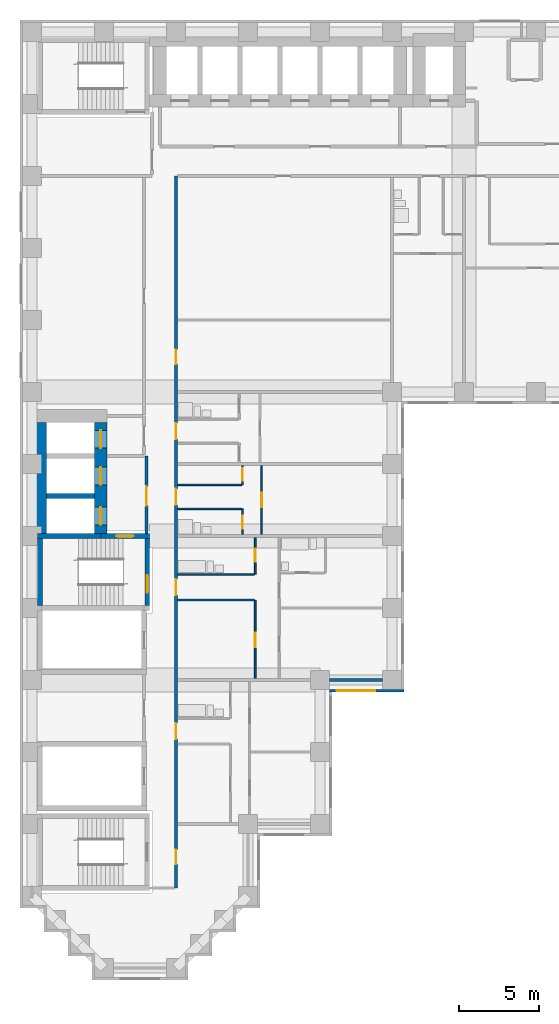
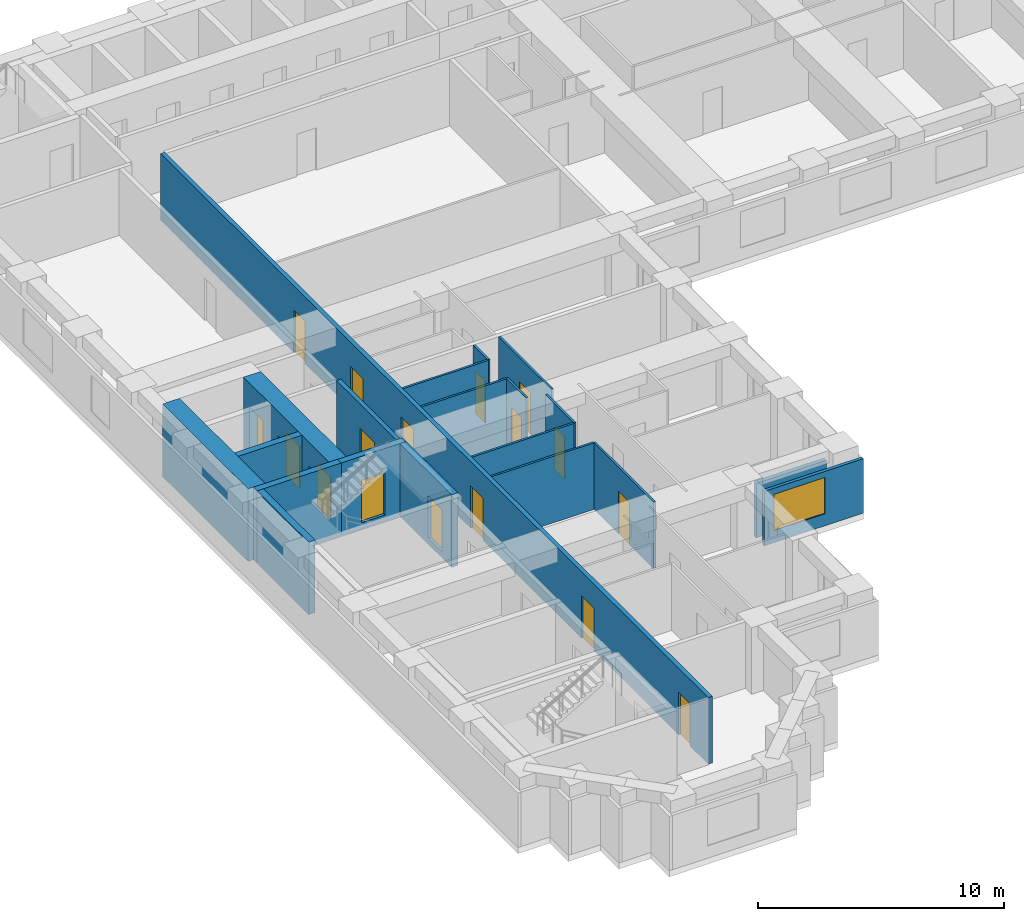
# One storey, part 3 of 11: 20 walls, 17 doors, 1 window, 18 openings.
"""IFC4 building model written with IfcOpenShell, lengths in metres."""

from ifc_helpers import new_model, si_unit, direction, frame, frame_2d, origin, place, context, subcontext, project, spatial, rectangle, extrude, material, layer, layer_set, type_object, element, fill, save


model = new_model("IFC4")

# Units and contexts
model_context = context("Model", 3, precision=1e-05, world=origin(), true_north=direction((0.0, 1.0)))
body_context = subcontext(model_context, "Body", "Model", "MODEL_VIEW")
ifc_project = project(units=[si_unit("LENGTHUNIT", "METRE"), si_unit("AREAUNIT", "SQUARE_METRE"), si_unit("VOLUMEUNIT", "CUBIC_METRE"), si_unit("PLANEANGLEUNIT", "RADIAN"), si_unit("MASSUNIT", "GRAM", prefix="KILO")], contexts=[model_context])

# Site, building, storey
site_placement = place(None, origin())
site = spatial("IfcSite", under=ifc_project, at=site_placement, CompositionType="ELEMENT")
building_placement = place(site_placement, origin())
building = spatial("IfcBuilding", under=site, at=building_placement, Name="Firuza Court", CompositionType="ELEMENT")
storey_placement = place(building_placement, frame((0.0, 0.0, 61.39990234375)))
storey = spatial("IfcBuildingStorey", under=building, at=storey_placement, Name="L14", CompositionType="ELEMENT", Elevation=61.39990234375)

# Walls
ifc_material_1 = material(Name="Moisture-resistant gypsum board partition")
ifc_layer_1 = layer(ifc_material_1, 0.10009765625)
ifc_layer_set_1 = layer_set([ifc_layer_1], Name="Moisture-resistant gypsum board partition")
wall_type_1 = type_object("IfcWallType", Name="Bathroom partition 100", PredefinedType="PLUMBINGWALL", material=ifc_layer_set_1)
wall_1_placement = place(storey_placement, frame((9.10009765625, 24.60009765625, 0.0), z_axis=(0.0, 0.0, 1.0), x_axis=(1.0, 0.0, 0.0)))
element("IfcWall", 1, at=wall_1_placement, inside=storey, type_object=wall_type_1, Name="Bathroom partition 100 L14", PredefinedType="PLUMBINGWALL", context=body_context, shape_type="SweptSolid", body=[
    extrude(rectangle(XDim=4.7998046875, YDim=0.10009765625, at=frame_2d((2.39990234375, 0.0))), origin(), (0.0, 0.0, 1.0), 3.300048828125),
])
wall_2_placement = place(storey_placement, frame((9.10009765625, 28.699951171875, 0.0), z_axis=(0.0, 0.0, 1.0), x_axis=(1.0, 0.0, 0.0)))
element("IfcWall", 2, at=wall_2_placement, inside=storey, type_object=wall_type_1, Name="Bathroom partition 100 L14", PredefinedType="PLUMBINGWALL", context=body_context, shape_type="SweptSolid", body=[
    extrude(rectangle(XDim=4.0, YDim=0.10009765625, at=frame_2d((2.0, 0.0))), origin(), (0.0, 0.0, 1.0), 3.300048828125),
])
ifc_material_2 = material(Name="Concrete C60/75", Category="concrete")
ifc_layer_2 = layer(ifc_material_2, 0.300048828125)
ifc_layer_set_2 = layer_set([ifc_layer_2], Name="Concrete C60/75")
wall_type_2 = type_object("IfcWallType", Name="Core wall 300 C60/75", PredefinedType="SHEAR", material=ifc_layer_set_2)
wall_3_placement = place(storey_placement, frame((0.35009765625, 27.0, -0.2998046875), z_axis=(0.0, 0.0, 1.0), x_axis=(1.0, 0.0, 0.0)))
element("IfcWall", 3, at=wall_3_placement, inside=storey, type_object=wall_type_2, Name="Core wall lift shaft L14", PredefinedType="SHEAR", context=body_context, shape_type="SweptSolid", body=[
    extrude(rectangle(XDim=3.949951171875, YDim=0.300048828125, at=frame_2d((1.97509765625, 0.0))), origin(), (0.0, 0.0, 1.0), 3.599853515625),
])
wall_4_placement = place(storey_placement, frame((0.5, 22.64990234375, -0.2998046875), z_axis=(0.0, 0.0, 1.0), x_axis=(0.0, 1.0, 0.0)))
element("IfcWall", 4, at=wall_4_placement, inside=storey, type_object=wall_type_2, Name="Core wall stair L14", PredefinedType="SHEAR", context=body_context, shape_type="SweptSolid", body=[
    extrude(rectangle(XDim=4.2001953125, YDim=0.300048828125, at=frame_2d((2.10009765625, 0.0))), origin(), (0.0, 0.0, 1.0), 3.599853515625),
])
wall_5_placement = place(storey_placement, frame((0.89990234375, 29.5, -0.2998046875), z_axis=(0.0, 0.0, 1.0), x_axis=(1.0, 0.0, 0.0)))
element("IfcWall", 5, at=wall_5_placement, inside=storey, type_object=wall_type_2, Name="Core wall lift shaft L14", PredefinedType="SHEAR", context=body_context, shape_type="SweptSolid", body=[
    extrude(rectangle(XDim=3.0, YDim=0.300048828125, at=frame_2d((1.5, 0.0))), origin(), (0.0, 0.0, 1.0), 3.599853515625),
])

# Wall, opening, door
wall_6_placement = place(storey_placement, frame((4.300048828125, 27.0, -0.2998046875), z_axis=(0.0, 0.0, 1.0), x_axis=(1.0, 0.0, 0.0)))
wall_6 = element("IfcWall", 6, at=wall_6_placement, inside=storey, type_object=wall_type_2, Name="Core wall stair L14", PredefinedType="SHEAR", context=body_context, shape_type="SweptSolid", body=[
    extrude(rectangle(XDim=3.050048828125, YDim=0.300048828125, at=frame_2d((1.52490234375, 0.0))), origin(), (0.0, 0.0, 1.0), 3.599853515625),
])
opening_1_placement = place(wall_6_placement, frame((0.949951171875, 0.0, 0.300048828125)))
opening_1 = element("IfcOpeningElement", 7, at=opening_1_placement, cuts=wall_6, Name="Opening D14014", PredefinedType="OPENING", context=body_context, shape_type="SweptSolid", body=[
    extrude(rectangle(XDim=1.10009765625, YDim=2.10009765625, at=frame_2d((0.550048828125, 1.050048828125))), frame((0.0, 0.162109375, 0.0), z_axis=(0.0, -1.0, 0.0), x_axis=(1.0, 0.0, 0.0)), (0.0, 0.0, 1.0), 0.323974609375),
])
ifc_material_3 = material(Name="Timber door leaf in hardwood frame", Category="wood")
door_type_1 = type_object("IfcDoorType", Name="Stair door 1100", OperationType="SINGLE_SWING_LEFT", PredefinedType="DOOR", material=ifc_material_3)
door_1_placement = place(opening_1_placement, frame((1.10009765625, 0.0, 0.0), z_axis=(0.0, 0.0, 1.0), x_axis=(-1.0, 0.0, 0.0)))
door_1 = element("IfcDoor", 8, at=door_1_placement, inside=storey, type_object=door_type_1, Name="Fire-fighting lobby door", OperationType="SINGLE_SWING_LEFT", OverallHeight=2.10009765625, OverallWidth=1.10009765625, PredefinedType="DOOR", context=body_context, shape_type="SweptSolid", body=[
    extrude(rectangle(XDim=1.10009765625, YDim=2.10009765625, at=frame_2d((0.550048828125, 1.050048828125))), frame((0.0, 0.02490234375, 0.0), z_axis=(0.0, -1.0, 0.0), x_axis=(1.0, 0.0, 0.0)), (0.0, 0.0, 1.0), 0.050048828125),
])
fill(opening_1, door_1)

wall_7_placement = place(storey_placement, frame((7.199951171875, 22.64990234375, -0.2998046875), z_axis=(0.0, 0.0, 1.0), x_axis=(0.0, 1.0, 0.0)))
wall_7 = element("IfcWall", 9, at=wall_7_placement, inside=storey, type_object=wall_type_2, Name="Core wall stair L14", PredefinedType="SHEAR", context=body_context, shape_type="SweptSolid", body=[
    extrude(rectangle(XDim=4.2001953125, YDim=0.300048828125, at=frame_2d((2.10009765625, 0.0))), origin(), (0.0, 0.0, 1.0), 3.599853515625),
])
opening_2_placement = place(wall_7_placement, frame((0.800048828125, 0.0, 0.300048828125)))
opening_2 = element("IfcOpeningElement", 10, at=opening_2_placement, cuts=wall_7, Name="Opening D14015", PredefinedType="OPENING", context=body_context, shape_type="SweptSolid", body=[
    extrude(rectangle(XDim=1.10009765625, YDim=2.10009765625, at=frame_2d((0.550048828125, 1.050048828125))), frame((0.0, 0.162109375, 0.0), z_axis=(0.0, -1.0, 0.0), x_axis=(1.0, 0.0, 0.0)), (0.0, 0.0, 1.0), 0.323974609375),
])
door_2_placement = place(opening_2_placement, origin())
door_2 = element("IfcDoor", 11, at=door_2_placement, inside=storey, type_object=door_type_1, Name="Stair door S2", OperationType="SINGLE_SWING_LEFT", OverallHeight=2.10009765625, OverallWidth=1.10009765625, PredefinedType="DOOR", context=body_context, shape_type="SweptSolid", body=[
    extrude(rectangle(XDim=1.10009765625, YDim=2.10009765625, at=frame_2d((0.550048828125, 1.050048828125))), frame((0.0, 0.02490234375, 0.0), z_axis=(0.0, -1.0, 0.0), x_axis=(1.0, 0.0, 0.0)), (0.0, 0.0, 1.0), 0.050048828125),
])
fill(opening_2, door_2)

# Wall
ifc_layer_3 = layer(ifc_material_2, 0.800048828125)
ifc_layer_set_3 = layer_set([ifc_layer_3], Name="Concrete C60/75")
wall_type_3 = type_object("IfcWallType", Name="Core wall 800 C60/75", PredefinedType="SHEAR", material=ifc_layer_set_3)
wall_8_placement = place(storey_placement, frame((0.5, 27.14990234375, -0.2998046875), z_axis=(0.0, 0.0, 1.0), x_axis=(0.0, 1.0, 0.0)))
element("IfcWall", 12, at=wall_8_placement, inside=storey, type_object=wall_type_3, Name="Core wall lift shaft L14", PredefinedType="SHEAR", context=body_context, shape_type="SweptSolid", body=[
    extrude(rectangle(XDim=6.9501953125, YDim=0.800048828125, at=frame_2d((3.47509765625, 0.0))), origin(), (0.0, 0.0, 1.0), 3.599853515625),
])

# Wall, openings, doors
wall_9_placement = place(storey_placement, frame((4.300048828125, 27.14990234375, -0.2998046875), z_axis=(0.0, 0.0, 1.0), x_axis=(0.0, 1.0, 0.0)))
wall_9 = element("IfcWall", 13, at=wall_9_placement, inside=storey, type_object=wall_type_3, Name="Core wall lift shaft L14", PredefinedType="SHEAR", context=body_context, shape_type="SweptSolid", body=[
    extrude(rectangle(XDim=6.9501953125, YDim=0.800048828125, at=frame_2d((3.47509765625, 0.0))), origin(), (0.0, 0.0, 1.0), 3.599853515625),
])
opening_3_placement = place(wall_9_placement, frame((3.050048828125, 0.0, 0.300048828125)))
opening_3 = element("IfcOpeningElement", 14, at=opening_3_placement, cuts=wall_9, Name="Opening LD-FL1-14", PredefinedType="OPENING", context=body_context, shape_type="SweptSolid", body=[
    extrude(rectangle(XDim=1.10009765625, YDim=2.10009765625, at=frame_2d((0.550048828125, 1.050048828125))), frame((0.0, 0.412109375, 0.0), z_axis=(0.0, -1.0, 0.0), x_axis=(1.0, 0.0, 0.0)), (0.0, 0.0, 1.0), 0.823974609375),
])
opening_4_placement = place(wall_9_placement, frame((0.550048828125, 0.0, 0.300048828125)))
opening_4 = element("IfcOpeningElement", 15, at=opening_4_placement, cuts=wall_9, Name="Opening LD-FL2-14", PredefinedType="OPENING", context=body_context, shape_type="SweptSolid", body=[
    extrude(rectangle(XDim=1.10009765625, YDim=2.10009765625, at=frame_2d((0.550048828125, 1.050048828125))), frame((0.0, 0.412109375, 0.0), z_axis=(0.0, -1.0, 0.0), x_axis=(1.0, 0.0, 0.0)), (0.0, 0.0, 1.0), 0.823974609375),
])
opening_5_placement = place(wall_9_placement, frame((5.35009765625, 0.0, 0.300048828125)))
opening_5 = element("IfcOpeningElement", 16, at=opening_5_placement, cuts=wall_9, Name="Opening LD-SL1-14", PredefinedType="OPENING", context=body_context, shape_type="SweptSolid", body=[
    extrude(rectangle(XDim=1.10009765625, YDim=2.10009765625, at=frame_2d((0.550048828125, 1.050048828125))), frame((0.0, 0.412109375, 0.0), z_axis=(0.0, -1.0, 0.0), x_axis=(1.0, 0.0, 0.0)), (0.0, 0.0, 1.0), 0.823974609375),
])
ifc_material_4 = material(Name="Stainless steel 1.4301 door leaf", Category="steel")
door_type_2 = type_object("IfcDoorType", Name="Lift landing door 1100", OperationType="SLIDING_TO_LEFT", PredefinedType="DOOR", material=ifc_material_4)
door_3_placement = place(opening_3_placement, origin())
door_3 = element("IfcDoor", 17, at=door_3_placement, inside=storey, type_object=door_type_2, Name="Landing door FL1", OperationType="SLIDING_TO_LEFT", OverallHeight=2.10009765625, OverallWidth=1.10009765625, PredefinedType="DOOR", context=body_context, shape_type="SweptSolid", body=[
    extrude(rectangle(XDim=1.10009765625, YDim=2.10009765625, at=frame_2d((0.550048828125, 1.050048828125))), frame((0.0, 0.02490234375, 0.0), z_axis=(0.0, -1.0, 0.0), x_axis=(1.0, 0.0, 0.0)), (0.0, 0.0, 1.0), 0.050048828125),
])
fill(opening_3, door_3)
door_4_placement = place(opening_4_placement, origin())
door_4 = element("IfcDoor", 18, at=door_4_placement, inside=storey, type_object=door_type_2, Name="Landing door FL2", OperationType="SLIDING_TO_LEFT", OverallHeight=2.10009765625, OverallWidth=1.10009765625, PredefinedType="DOOR", context=body_context, shape_type="SweptSolid", body=[
    extrude(rectangle(XDim=1.10009765625, YDim=2.10009765625, at=frame_2d((0.550048828125, 1.050048828125))), frame((0.0, 0.02490234375, 0.0), z_axis=(0.0, -1.0, 0.0), x_axis=(1.0, 0.0, 0.0)), (0.0, 0.0, 1.0), 0.050048828125),
])
fill(opening_4, door_4)
door_5_placement = place(opening_5_placement, origin())
door_5 = element("IfcDoor", 19, at=door_5_placement, inside=storey, type_object=door_type_2, Name="Landing door SL1", OperationType="SLIDING_TO_LEFT", OverallHeight=2.10009765625, OverallWidth=1.10009765625, PredefinedType="DOOR", context=body_context, shape_type="SweptSolid", body=[
    extrude(rectangle(XDim=1.10009765625, YDim=2.10009765625, at=frame_2d((0.550048828125, 1.050048828125))), frame((0.0, 0.02490234375, 0.0), z_axis=(0.0, -1.0, 0.0), x_axis=(1.0, 0.0, 0.0)), (0.0, 0.0, 1.0), 0.050048828125),
])
fill(opening_5, door_5)

ifc_material_5 = material(Name="Blockwork, plastered both sides", Category="masonry")
ifc_layer_4 = layer(ifc_material_5, 0.199951171875)
ifc_layer_set_4 = layer_set([ifc_layer_4], Name="Blockwork, plastered both sides")
wall_type_4 = type_object("IfcWallType", Name="Corridor wall 200", PredefinedType="PARTITIONING", material=ifc_layer_set_4)
wall_10_placement = place(storey_placement, frame((9.0, 5.0, 0.0), z_axis=(0.0, 0.0, 1.0), x_axis=(0.0, 1.0, 0.0)))
wall_10 = element("IfcWall", 20, at=wall_10_placement, inside=storey, type_object=wall_type_4, Name="Corridor wall 200 L14", PredefinedType="PARTITIONING", context=body_context, shape_type="SweptSolid", body=[
    extrude(rectangle(XDim=44.5, YDim=0.199951171875, at=frame_2d((22.25, 0.0))), origin(), (0.0, 0.0, 1.0), 3.300048828125),
])
opening_6_placement = place(wall_10_placement, frame((28.050048828125, 0.0, 0.0)))
opening_6 = element("IfcOpeningElement", 21, at=opening_6_placement, cuts=wall_10, Name="Opening D14019", PredefinedType="OPENING", context=body_context, shape_type="SweptSolid", body=[
    extrude(rectangle(XDim=1.0, YDim=2.10009765625, at=frame_2d((0.5, 1.050048828125))), frame((0.0, 0.11181640625, 0.0), z_axis=(0.0, -1.0, 0.0), x_axis=(1.0, 0.0, 0.0)), (0.0, 0.0, 1.0), 0.223876953125),
])
opening_7_placement = place(wall_10_placement, frame((23.949951171875, 0.0, 0.0)))
opening_7 = element("IfcOpeningElement", 22, at=opening_7_placement, cuts=wall_10, Name="Opening D14020", PredefinedType="OPENING", context=body_context, shape_type="SweptSolid", body=[
    extrude(rectangle(XDim=1.0, YDim=2.10009765625, at=frame_2d((0.5, 1.050048828125))), frame((0.0, 0.11181640625, 0.0), z_axis=(0.0, -1.0, 0.0), x_axis=(1.0, 0.0, 0.0)), (0.0, 0.0, 1.0), 0.223876953125),
])
opening_8_placement = place(wall_10_placement, frame((18.300048828125, 0.0, 0.0)))
opening_8 = element("IfcOpeningElement", 23, at=opening_8_placement, cuts=wall_10, Name="Opening D14021", PredefinedType="OPENING", context=body_context, shape_type="SweptSolid", body=[
    extrude(rectangle(XDim=1.0, YDim=2.10009765625, at=frame_2d((0.5, 1.050048828125))), frame((0.0, 0.11181640625, 0.0), z_axis=(0.0, -1.0, 0.0), x_axis=(1.0, 0.0, 0.0)), (0.0, 0.0, 1.0), 0.223876953125),
])
opening_9_placement = place(wall_10_placement, frame((9.300048828125, 0.0, 0.0)))
opening_9 = element("IfcOpeningElement", 24, at=opening_9_placement, cuts=wall_10, Name="Opening D14022", PredefinedType="OPENING", context=body_context, shape_type="SweptSolid", body=[
    extrude(rectangle(XDim=1.0, YDim=2.10009765625, at=frame_2d((0.5, 1.050048828125))), frame((0.0, 0.11181640625, 0.0), z_axis=(0.0, -1.0, 0.0), x_axis=(1.0, 0.0, 0.0)), (0.0, 0.0, 1.0), 0.223876953125),
])
opening_10_placement = place(wall_10_placement, frame((32.75, 0.0, 0.0)))
opening_10 = element("IfcOpeningElement", 25, at=opening_10_placement, cuts=wall_10, Name="Opening D14023", PredefinedType="OPENING", context=body_context, shape_type="SweptSolid", body=[
    extrude(rectangle(XDim=0.89990234375, YDim=2.10009765625, at=frame_2d((0.449951171875, 1.050048828125))), frame((0.0, 0.11181640625, 0.0), z_axis=(0.0, -1.0, 0.0), x_axis=(1.0, 0.0, 0.0)), (0.0, 0.0, 1.0), 0.223876953125),
])
opening_11_placement = place(wall_10_placement, frame((1.5, 0.0, 0.0)))
opening_11 = element("IfcOpeningElement", 26, at=opening_11_placement, cuts=wall_10, Name="Opening D14024", PredefinedType="OPENING", context=body_context, shape_type="SweptSolid", body=[
    extrude(rectangle(XDim=0.89990234375, YDim=2.10009765625, at=frame_2d((0.449951171875, 1.050048828125))), frame((0.0, 0.11181640625, 0.0), z_axis=(0.0, -1.0, 0.0), x_axis=(1.0, 0.0, 0.0)), (0.0, 0.0, 1.0), 0.223876953125),
])
ifc_material_6 = material(Name="Timber door leaf in hardwood frame", Category="wood")
door_type_3 = type_object("IfcDoorType", Name="Flat entrance door 1000", OperationType="SINGLE_SWING_LEFT", PredefinedType="DOOR", material=ifc_material_6)
door_6_placement = place(opening_6_placement, origin())
door_6 = element("IfcDoor", 27, at=door_6_placement, inside=storey, type_object=door_type_3, Name="Flat entrance door", OperationType="SINGLE_SWING_LEFT", OverallHeight=2.10009765625, OverallWidth=1.0, PredefinedType="DOOR", context=body_context, shape_type="SweptSolid", body=[
    extrude(rectangle(XDim=1.0, YDim=2.10009765625, at=frame_2d((0.5, 1.050048828125))), frame((0.0, 0.02490234375, 0.0), z_axis=(0.0, -1.0, 0.0), x_axis=(1.0, 0.0, 0.0)), (0.0, 0.0, 1.0), 0.050048828125),
])
fill(opening_6, door_6)
door_7_placement = place(opening_7_placement, origin())
door_7 = element("IfcDoor", 28, at=door_7_placement, inside=storey, type_object=door_type_3, Name="Flat entrance door", OperationType="SINGLE_SWING_LEFT", OverallHeight=2.10009765625, OverallWidth=1.0, PredefinedType="DOOR", context=body_context, shape_type="SweptSolid", body=[
    extrude(rectangle(XDim=1.0, YDim=2.10009765625, at=frame_2d((0.5, 1.050048828125))), frame((0.0, 0.02490234375, 0.0), z_axis=(0.0, -1.0, 0.0), x_axis=(1.0, 0.0, 0.0)), (0.0, 0.0, 1.0), 0.050048828125),
])
fill(opening_7, door_7)
door_8_placement = place(opening_8_placement, origin())
door_8 = element("IfcDoor", 29, at=door_8_placement, inside=storey, type_object=door_type_3, Name="Flat entrance door", OperationType="SINGLE_SWING_LEFT", OverallHeight=2.10009765625, OverallWidth=1.0, PredefinedType="DOOR", context=body_context, shape_type="SweptSolid", body=[
    extrude(rectangle(XDim=1.0, YDim=2.10009765625, at=frame_2d((0.5, 1.050048828125))), frame((0.0, 0.02490234375, 0.0), z_axis=(0.0, -1.0, 0.0), x_axis=(1.0, 0.0, 0.0)), (0.0, 0.0, 1.0), 0.050048828125),
])
fill(opening_8, door_8)
door_9_placement = place(opening_9_placement, origin())
door_9 = element("IfcDoor", 30, at=door_9_placement, inside=storey, type_object=door_type_3, Name="Flat entrance door", OperationType="SINGLE_SWING_LEFT", OverallHeight=2.10009765625, OverallWidth=1.0, PredefinedType="DOOR", context=body_context, shape_type="SweptSolid", body=[
    extrude(rectangle(XDim=1.0, YDim=2.10009765625, at=frame_2d((0.5, 1.050048828125))), frame((0.0, 0.02490234375, 0.0), z_axis=(0.0, -1.0, 0.0), x_axis=(1.0, 0.0, 0.0)), (0.0, 0.0, 1.0), 0.050048828125),
])
fill(opening_9, door_9)
ifc_material_7 = material(Name="Timber door leaf in hardwood frame", Category="wood")
door_type_4 = type_object("IfcDoorType", Name="Room door 900 EI 30", OperationType="SINGLE_SWING_LEFT", PredefinedType="DOOR", material=ifc_material_7)
door_10_placement = place(opening_10_placement, frame((0.89990234375, 0.0, 0.0), z_axis=(0.0, 0.0, 1.0), x_axis=(-1.0, 0.0, 0.0)))
door_10 = element("IfcDoor", 31, at=door_10_placement, inside=storey, type_object=door_type_4, Name="Playroom door", OperationType="SINGLE_SWING_RIGHT", OverallHeight=2.10009765625, OverallWidth=0.89990234375, PredefinedType="DOOR", context=body_context, shape_type="SweptSolid", body=[
    extrude(rectangle(XDim=0.89990234375, YDim=2.10009765625, at=frame_2d((0.449951171875, 1.050048828125))), frame((0.0, 0.02490234375, 0.0), z_axis=(0.0, -1.0, 0.0), x_axis=(1.0, 0.0, 0.0)), (0.0, 0.0, 1.0), 0.050048828125),
])
fill(opening_10, door_10)
door_11_placement = place(opening_11_placement, frame((0.89990234375, 0.0, 0.0), z_axis=(0.0, 0.0, 1.0), x_axis=(-1.0, 0.0, 0.0)))
door_11 = element("IfcDoor", 32, at=door_11_placement, inside=storey, type_object=door_type_4, Name="Library door", OperationType="SINGLE_SWING_LEFT", OverallHeight=2.10009765625, OverallWidth=0.89990234375, PredefinedType="DOOR", context=body_context, shape_type="SweptSolid", body=[
    extrude(rectangle(XDim=0.89990234375, YDim=2.10009765625, at=frame_2d((0.449951171875, 1.050048828125))), frame((0.0, 0.02490234375, 0.0), z_axis=(0.0, -1.0, 0.0), x_axis=(1.0, 0.0, 0.0)), (0.0, 0.0, 1.0), 0.050048828125),
])
fill(opening_11, door_11)

# Wall, opening, door
ifc_material_8 = material(Name="Timber stud partition, plasterboard both sides", Category="wood")
ifc_layer_5 = layer(ifc_material_8, 0.10009765625)
ifc_layer_set_5 = layer_set([ifc_layer_5], Name="Timber stud partition, plasterboard both sides")
wall_type_5 = type_object("IfcWallType", Name="Partition wall 100", PredefinedType="PARTITIONING", material=ifc_layer_set_5)
wall_11_placement = place(storey_placement, frame((13.949951171875, 18.10009765625, 0.0), z_axis=(0.0, 0.0, 1.0), x_axis=(0.0, 1.0, 0.0)))
wall_11 = element("IfcWall", 33, at=wall_11_placement, inside=storey, type_object=wall_type_5, Name="Partition wall 100 L14", PredefinedType="PARTITIONING", context=body_context, shape_type="SweptSolid", body=[
    extrude(rectangle(XDim=4.89990234375, YDim=0.10009765625, at=frame_2d((2.449951171875, 0.0))), origin(), (0.0, 0.0, 1.0), 3.300048828125),
])
opening_12_placement = place(wall_11_placement, frame((1.949951171875, 0.0, 0.0)))
opening_12 = element("IfcOpeningElement", 34, at=opening_12_placement, cuts=wall_11, Name="Opening D14030", PredefinedType="OPENING", context=body_context, shape_type="SweptSolid", body=[
    extrude(rectangle(XDim=0.89990234375, YDim=2.10009765625, at=frame_2d((0.449951171875, 1.050048828125))), frame((0.0, 0.06201171875, 0.0), z_axis=(0.0, -1.0, 0.0), x_axis=(1.0, 0.0, 0.0)), (0.0, 0.0, 1.0), 0.1240234375),
])
ifc_material_9 = material(Name="Timber door leaf in hardwood frame", Category="wood")
door_type_5 = type_object("IfcDoorType", Name="Room door 900", OperationType="SINGLE_SWING_LEFT", PredefinedType="DOOR", material=ifc_material_9)
door_12_placement = place(opening_12_placement, origin())
door_12 = element("IfcDoor", 35, at=door_12_placement, inside=storey, type_object=door_type_5, Name="Kitchen door", OperationType="SINGLE_SWING_LEFT", OverallHeight=2.10009765625, OverallWidth=0.89990234375, PredefinedType="DOOR", context=body_context, shape_type="SweptSolid", body=[
    extrude(rectangle(XDim=0.89990234375, YDim=2.10009765625, at=frame_2d((0.449951171875, 1.050048828125))), frame((0.0, 0.02490234375, 0.0), z_axis=(0.0, -1.0, 0.0), x_axis=(1.0, 0.0, 0.0)), (0.0, 0.0, 1.0), 0.050048828125),
])
fill(opening_12, door_12)

# Wall
wall_12_placement = place(storey_placement, frame((9.10009765625, 23.0, 0.0), z_axis=(0.0, 0.0, 1.0), x_axis=(1.0, 0.0, 0.0)))
element("IfcWall", 36, at=wall_12_placement, inside=storey, type_object=wall_type_5, Name="Partition wall 100 L14", PredefinedType="PARTITIONING", context=body_context, shape_type="SweptSolid", body=[
    extrude(rectangle(XDim=4.7998046875, YDim=0.10009765625, at=frame_2d((2.39990234375, 0.0))), origin(), (0.0, 0.0, 1.0), 3.300048828125),
])

# Wall, opening, door
wall_13_placement = place(storey_placement, frame((13.949951171875, 24.60009765625, 0.0), z_axis=(0.0, 0.0, 1.0), x_axis=(0.0, 1.0, 0.0)))
wall_13 = element("IfcWall", 37, at=wall_13_placement, inside=storey, type_object=wall_type_5, Name="Partition wall 100 L14", PredefinedType="PARTITIONING", context=body_context, shape_type="SweptSolid", body=[
    extrude(rectangle(XDim=2.2998046875, YDim=0.10009765625, at=frame_2d((1.14990234375, 0.0))), origin(), (0.0, 0.0, 1.0), 3.300048828125),
])
opening_13_placement = place(wall_13_placement, frame((0.800048828125, 0.0, 0.0)))
opening_13 = element("IfcOpeningElement", 38, at=opening_13_placement, cuts=wall_13, Name="Opening D14033", PredefinedType="OPENING", context=body_context, shape_type="SweptSolid", body=[
    extrude(rectangle(XDim=0.800048828125, YDim=2.10009765625, at=frame_2d((0.39990234375, 1.050048828125))), frame((0.0, 0.06201171875, 0.0), z_axis=(0.0, -1.0, 0.0), x_axis=(1.0, 0.0, 0.0)), (0.0, 0.0, 1.0), 0.1240234375),
])
ifc_material_10 = material(Name="Timber door leaf in hardwood frame", Category="wood")
door_type_6 = type_object("IfcDoorType", Name="Bathroom door 800", OperationType="SINGLE_SWING_LEFT", PredefinedType="DOOR", material=ifc_material_10)
door_13_placement = place(opening_13_placement, origin())
door_13 = element("IfcDoor", 39, at=door_13_placement, inside=storey, type_object=door_type_6, Name="Bathroom door", OperationType="SINGLE_SWING_LEFT", OverallHeight=2.10009765625, OverallWidth=0.800048828125, PredefinedType="DOOR", context=body_context, shape_type="SweptSolid", body=[
    extrude(rectangle(XDim=0.800048828125, YDim=2.10009765625, at=frame_2d((0.39990234375, 1.050048828125))), frame((0.0, 0.02490234375, 0.0), z_axis=(0.0, -1.0, 0.0), x_axis=(1.0, 0.0, 0.0)), (0.0, 0.0, 1.0), 0.050048828125),
])
fill(opening_13, door_13)

wall_14_placement = place(storey_placement, frame((13.14990234375, 27.10009765625, 0.0), z_axis=(0.0, 0.0, 1.0), x_axis=(0.0, 1.0, 0.0)))
wall_14 = element("IfcWall", 40, at=wall_14_placement, inside=storey, type_object=wall_type_5, Name="Partition wall 100 L14", PredefinedType="PARTITIONING", context=body_context, shape_type="SweptSolid", body=[
    extrude(rectangle(XDim=1.599853515625, YDim=0.10009765625, at=frame_2d((0.7998046875, 0.0))), origin(), (0.0, 0.0, 1.0), 3.300048828125),
])
opening_14_placement = place(wall_14_placement, frame((0.35009765625, 0.0, 0.0)))
opening_14 = element("IfcOpeningElement", 41, at=opening_14_placement, cuts=wall_14, Name="Opening D14035", PredefinedType="OPENING", context=body_context, shape_type="SweptSolid", body=[
    extrude(rectangle(XDim=0.800048828125, YDim=2.10009765625, at=frame_2d((0.39990234375, 1.050048828125))), frame((0.0, 0.06201171875, 0.0), z_axis=(0.0, -1.0, 0.0), x_axis=(1.0, 0.0, 0.0)), (0.0, 0.0, 1.0), 0.1240234375),
])
door_14_placement = place(opening_14_placement, origin())
door_14 = element("IfcDoor", 42, at=door_14_placement, inside=storey, type_object=door_type_6, Name="Bathroom door", OperationType="SINGLE_SWING_LEFT", OverallHeight=2.10009765625, OverallWidth=0.800048828125, PredefinedType="DOOR", context=body_context, shape_type="SweptSolid", body=[
    extrude(rectangle(XDim=0.800048828125, YDim=2.10009765625, at=frame_2d((0.39990234375, 1.050048828125))), frame((0.0, 0.02490234375, 0.0), z_axis=(0.0, -1.0, 0.0), x_axis=(1.0, 0.0, 0.0)), (0.0, 0.0, 1.0), 0.050048828125),
])
fill(opening_14, door_14)

wall_15_placement = place(storey_placement, frame((14.35009765625, 27.10009765625, 0.0), z_axis=(0.0, 0.0, 1.0), x_axis=(0.0, 1.0, 0.0)))
wall_15 = element("IfcWall", 43, at=wall_15_placement, inside=storey, type_object=wall_type_5, Name="Partition wall 100 L14", PredefinedType="PARTITIONING", context=body_context, shape_type="SweptSolid", body=[
    extrude(rectangle(XDim=4.2998046875, YDim=0.10009765625, at=frame_2d((2.14990234375, 0.0))), origin(), (0.0, 0.0, 1.0), 3.300048828125),
])
opening_15_placement = place(wall_15_placement, frame((1.699951171875, 0.0, 0.0)))
opening_15 = element("IfcOpeningElement", 44, at=opening_15_placement, cuts=wall_15, Name="Opening D14036", PredefinedType="OPENING", context=body_context, shape_type="SweptSolid", body=[
    extrude(rectangle(XDim=0.89990234375, YDim=2.10009765625, at=frame_2d((0.449951171875, 1.050048828125))), frame((0.0, 0.06201171875, 0.0), z_axis=(0.0, -1.0, 0.0), x_axis=(1.0, 0.0, 0.0)), (0.0, 0.0, 1.0), 0.1240234375),
])
door_15_placement = place(opening_15_placement, frame((0.89990234375, 0.0, 0.0), z_axis=(0.0, 0.0, 1.0), x_axis=(-1.0, 0.0, 0.0)))
door_15 = element("IfcDoor", 45, at=door_15_placement, inside=storey, type_object=door_type_5, Name="Studio room door", OperationType="SINGLE_SWING_RIGHT", OverallHeight=2.10009765625, OverallWidth=0.89990234375, PredefinedType="DOOR", context=body_context, shape_type="SweptSolid", body=[
    extrude(rectangle(XDim=0.89990234375, YDim=2.10009765625, at=frame_2d((0.449951171875, 1.050048828125))), frame((0.0, 0.02490234375, 0.0), z_axis=(0.0, -1.0, 0.0), x_axis=(1.0, 0.0, 0.0)), (0.0, 0.0, 1.0), 0.050048828125),
])
fill(opening_15, door_15)

# Wall
wall_16_placement = place(storey_placement, frame((9.10009765625, 30.199951171875, 0.0), z_axis=(0.0, 0.0, 1.0), x_axis=(1.0, 0.0, 0.0)))
element("IfcWall", 46, at=wall_16_placement, inside=storey, type_object=wall_type_5, Name="Partition wall 100 L14", PredefinedType="PARTITIONING", context=body_context, shape_type="SweptSolid", body=[
    extrude(rectangle(XDim=4.0, YDim=0.10009765625, at=frame_2d((2.0, 0.0))), origin(), (0.0, 0.0, 1.0), 3.300048828125),
])

# Wall, opening, door
wall_17_placement = place(storey_placement, frame((13.14990234375, 30.199951171875, 0.0), z_axis=(0.0, 0.0, 1.0), x_axis=(0.0, 1.0, 0.0)))
wall_17 = element("IfcWall", 47, at=wall_17_placement, inside=storey, type_object=wall_type_5, Name="Partition wall 100 L14", PredefinedType="PARTITIONING", context=body_context, shape_type="SweptSolid", body=[
    extrude(rectangle(XDim=1.199951171875, YDim=0.10009765625, at=frame_2d((0.60009765625, 0.0))), origin(), (0.0, 0.0, 1.0), 3.300048828125),
])
opening_16_placement = place(wall_17_placement, frame((0.25, 0.0, 0.0)))
opening_16 = element("IfcOpeningElement", 48, at=opening_16_placement, cuts=wall_17, Name="Opening D14037", PredefinedType="OPENING", context=body_context, shape_type="SweptSolid", body=[
    extrude(rectangle(XDim=0.800048828125, YDim=2.10009765625, at=frame_2d((0.39990234375, 1.050048828125))), frame((0.0, 0.06201171875, 0.0), z_axis=(0.0, -1.0, 0.0), x_axis=(1.0, 0.0, 0.0)), (0.0, 0.0, 1.0), 0.1240234375),
])
ifc_material_11 = material(Name="Timber door leaf in hardwood frame", Category="wood")
door_type_7 = type_object("IfcDoorType", Name="Room door 800", OperationType="SINGLE_SWING_LEFT", PredefinedType="DOOR", material=ifc_material_11)
door_16_placement = place(opening_16_placement, origin())
door_16 = element("IfcDoor", 49, at=door_16_placement, inside=storey, type_object=door_type_7, Name="Kitchen door", OperationType="SINGLE_SWING_LEFT", OverallHeight=2.10009765625, OverallWidth=0.800048828125, PredefinedType="DOOR", context=body_context, shape_type="SweptSolid", body=[
    extrude(rectangle(XDim=0.800048828125, YDim=2.10009765625, at=frame_2d((0.39990234375, 1.050048828125))), frame((0.0, 0.02490234375, 0.0), z_axis=(0.0, -1.0, 0.0), x_axis=(1.0, 0.0, 0.0)), (0.0, 0.0, 1.0), 0.050048828125),
])
fill(opening_16, door_16)

# Wall
ifc_layer_6 = layer(ifc_material_5, 0.199951171875)
ifc_layer_set_6 = layer_set([ifc_layer_6], Name="Blockwork, plastered both sides")
wall_type_6 = type_object("IfcWallType", Name="Party wall 200", PredefinedType="PARTITIONING", material=ifc_layer_set_6)
wall_18_placement = place(storey_placement, frame((18.60009765625, 18.0, 0.0), z_axis=(0.0, 0.0, 1.0), x_axis=(1.0, 0.0, 0.0)))
element("IfcWall", 50, at=wall_18_placement, inside=storey, type_object=wall_type_6, Name="Party wall 200 L14", PredefinedType="PARTITIONING", context=body_context, shape_type="SweptSolid", body=[
    extrude(rectangle(XDim=3.2998046875, YDim=0.199951171875, at=frame_2d((1.64990234375, 0.0))), origin(), (0.0, 0.0, 1.0), 2.7001953125),
])

# Wall, opening, window
ifc_material_12 = material(Name="Ceramic tile", Category="ceramic")
ifc_layer_7 = layer(ifc_material_12, 0.02001953125)
ifc_material_13 = material(Name="Mineral wool insulation", Category="insulation")
ifc_layer_8 = layer(ifc_material_13, 0.050048828125)
ifc_material_14 = material(Name="Concrete C40/50 precast", Category="concrete")
ifc_layer_9 = layer(ifc_material_14, 0.080078125)
ifc_layer_set_7 = layer_set([ifc_layer_7, ifc_layer_8, ifc_layer_9], Name="Concrete C40/50 precast")
wall_type_7 = type_object("IfcWallType", Name="Precast cladding wall with turquoise TILE PANEL face 150", PredefinedType="STANDARD", material=ifc_layer_set_7)
wall_19_placement = place(storey_placement, frame((18.60009765625, 17.324951171875, 0.0), z_axis=(0.0, 0.0, 1.0), x_axis=(1.0, 0.0, 0.0)))
wall_19 = element("IfcWall", 51, at=wall_19_placement, inside=storey, type_object=wall_type_7, Name="Facade wall L14 S", PredefinedType="STANDARD", context=body_context, shape_type="SweptSolid", body=[
    extrude(rectangle(XDim=4.64990234375, YDim=0.14990234375, at=frame_2d((2.324951171875, 0.0))), origin(), (0.0, 0.0, 1.0), 2.7001953125),
])
opening_17_placement = place(wall_19_placement, frame((0.449951171875, 0.0, 0.60009765625)))
opening_17 = element("IfcOpeningElement", 52, at=opening_17_placement, cuts=wall_19, Name="Opening W1", PredefinedType="OPENING", context=body_context, shape_type="SweptSolid", body=[
    extrude(rectangle(XDim=2.39990234375, YDim=1.800048828125, at=frame_2d((1.199951171875, 0.89990234375))), frame((0.0, 0.0869140625, 0.0), z_axis=(0.0, -1.0, 0.0), x_axis=(1.0, 0.0, 0.0)), (0.0, 0.0, 1.0), 0.173828125),
])
ifc_material_15 = material(Name="Aluminium frame, triple clear glazing", Category="aluminium")
window_type = type_object("IfcWindowType", Name="Window W1 2400 x 1800", PartitioningType="SINGLE_PANEL", PredefinedType="WINDOW", material=ifc_material_15)
window_placement = place(opening_17_placement, origin())
window = element("IfcWindow", 53, at=window_placement, inside=storey, type_object=window_type, Name="Window L14", OverallHeight=1.800048828125, OverallWidth=2.39990234375, PartitioningType="SINGLE_PANEL", PredefinedType="WINDOW", context=body_context, shape_type="SweptSolid", body=[
    extrude(rectangle(XDim=2.39990234375, YDim=1.800048828125, at=frame_2d((1.199951171875, 0.89990234375))), frame((0.0, 0.030029296875, 0.0), z_axis=(0.0, -1.0, 0.0), x_axis=(1.0, 0.0, 0.0)), (0.0, 0.0, 1.0), 0.06005859375),
])
fill(opening_17, window)

# Wall, opening, door
ifc_material_16 = material(Name="Blockwork, fire-rated", Category="masonry")
ifc_layer_10 = layer(ifc_material_16, 0.199951171875)
ifc_layer_set_8 = layer_set([ifc_layer_10], Name="Blockwork, fire-rated")
wall_type_8 = type_object("IfcWallType", Name="Shaft wall 200", PredefinedType="PARTITIONING", material=ifc_layer_set_8)
wall_20_placement = place(storey_placement, frame((7.14990234375, 27.169921875, 0.0), z_axis=(0.0, 0.0, 1.0), x_axis=(0.0, 1.0, 0.0)))
wall_20 = element("IfcWall", 54, at=wall_20_placement, inside=storey, type_object=wall_type_8, Name="Shaft wall 200 L14", PredefinedType="PARTITIONING", context=body_context, shape_type="SweptSolid", body=[
    extrude(rectangle(XDim=4.830078125, YDim=0.199951171875, at=frame_2d((2.4150390625, 0.0))), origin(), (0.0, 0.0, 1.0), 3.300048828125),
])
opening_18_placement = place(wall_20_placement, frame((1.72998046875, 0.0, 0.0)))
opening_18 = element("IfcOpeningElement", 55, at=opening_18_placement, cuts=wall_20, Name="Opening D14002", PredefinedType="OPENING", context=body_context, shape_type="SweptSolid", body=[
    extrude(rectangle(XDim=1.199951171875, YDim=2.10009765625, at=frame_2d((0.60009765625, 1.050048828125))), frame((0.0, 0.11181640625, 0.0), z_axis=(0.0, -1.0, 0.0), x_axis=(1.0, 0.0, 0.0)), (0.0, 0.0, 1.0), 0.223876953125),
])
ifc_material_17 = material(Name="Timber door leaf in hardwood frame", Category="wood")
door_type_8 = type_object("IfcDoorType", Name="Lobby door 1200", OperationType="SINGLE_SWING_LEFT", PredefinedType="DOOR", material=ifc_material_17)
door_17_placement = place(opening_18_placement, origin())
door_17 = element("IfcDoor", 56, at=door_17_placement, inside=storey, type_object=door_type_8, Name="Fire-fighting lobby door", OperationType="SINGLE_SWING_LEFT", OverallHeight=2.10009765625, OverallWidth=1.199951171875, PredefinedType="DOOR", context=body_context, shape_type="SweptSolid", body=[
    extrude(rectangle(XDim=1.199951171875, YDim=2.10009765625, at=frame_2d((0.60009765625, 1.050048828125))), frame((0.0, 0.02490234375, 0.0), z_axis=(0.0, -1.0, 0.0), x_axis=(1.0, 0.0, 0.0)), (0.0, 0.0, 1.0), 0.050048828125),
])
fill(opening_18, door_17)

save(model, "model.ifc")
